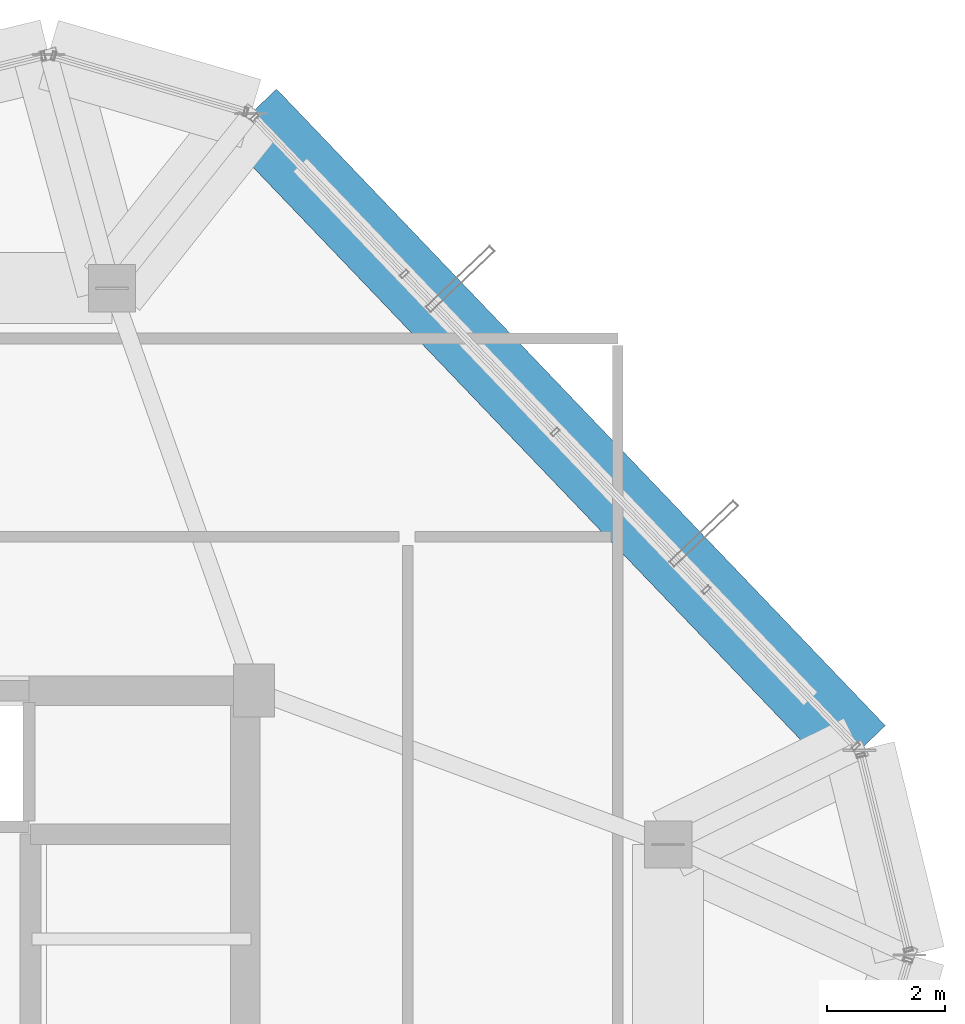
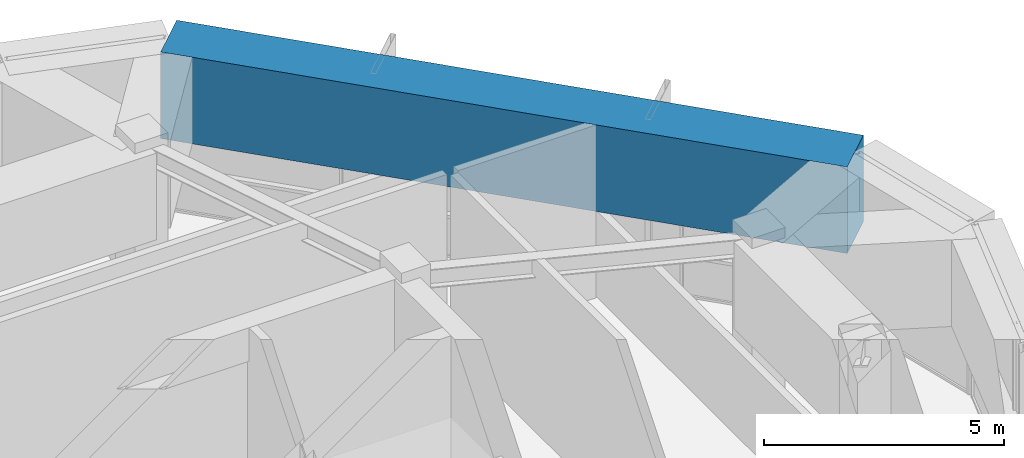
# One storey, part 21 of 39: 1 beam.
"""IFC4 building model written with IfcOpenShell, lengths in metres."""

from ifc_helpers import new_model, si_unit, direction, frame, origin, origin_2d, place, context, subcontext, project, spatial, rectangle, extrude, material, material_profile, profile_set, type_object, element, save


model = new_model("IFC4")

# Units and contexts
model_context = context("Model", 3, precision=1e-05, world=origin(), true_north=direction((0.0, 1.0)))
body_context = subcontext(model_context, "Body", "Model", "MODEL_VIEW")
ifc_project = project(units=[si_unit("LENGTHUNIT", "METRE"), si_unit("AREAUNIT", "SQUARE_METRE"), si_unit("VOLUMEUNIT", "CUBIC_METRE"), si_unit("PLANEANGLEUNIT", "RADIAN"), si_unit("MASSUNIT", "GRAM", prefix="KILO")], contexts=[model_context])

# Site, building, storey
site_placement = place(None, origin())
site = spatial("IfcSite", under=ifc_project, at=site_placement, CompositionType="ELEMENT")
building_placement = place(site_placement, origin())
building = spatial("IfcBuilding", under=site, at=building_placement, Name="Veraguas Prism Commons", CompositionType="ELEMENT")
storey_placement = place(building_placement, frame((0.0, 0.0, 264.25)))
storey = spatial("IfcBuildingStorey", under=building, at=storey_placement, Name="L75", CompositionType="ELEMENT", Elevation=264.25)

# Beam
ifc_material = material(Name="Concrete C50/60", Category="concrete")
ifc_material_profile = material_profile(ifc_material, rectangle(XDim=1.199951171875, YDim=2.199951171875, at=origin_2d()), Name="RC1200X2200")
ifc_profile_set = profile_set([ifc_material_profile], Name="Concrete C50/60")
beam_type = type_object("IfcBeamType", Name="Podium Transfer Girder RC 1200x2200", PredefinedType="BEAM", material=ifc_profile_set)
beam_placement = place(storey_placement, frame((41.036376953125, 29.992919921875, 3.2900390625), z_axis=(-0.691136997452, 0.722723772097, 0.0), x_axis=(-0.722723772097, -0.691136997452, 0.0)))
element("IfcBeam", 1, at=beam_placement, inside=storey, type_object=beam_type, Name="Crown Base Ring Beam L75-02", PredefinedType="BEAM", context=body_context, shape_type="SweptSolid", body=[
    extrude(rectangle(XDim=1.199951171875, YDim=2.199951171875, at=origin_2d()), origin(), (0.0, 0.0, 1.0), 14.886474609375),
])

save(model, "model.ifc")
